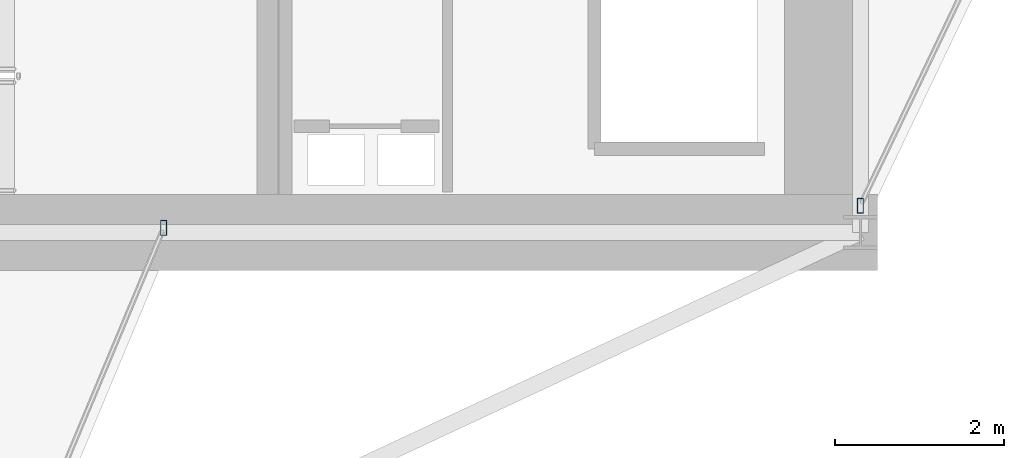
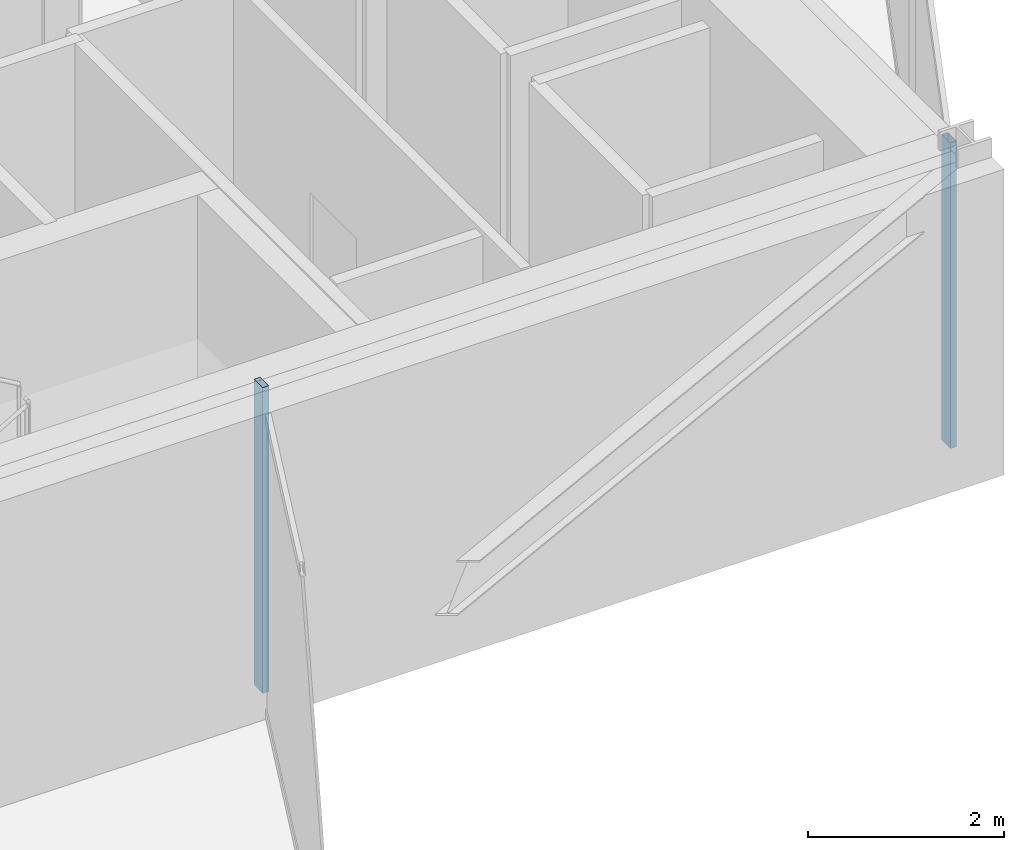
# One storey, part 12 of 25: 2 members, 2 elements without a shape of their own.
"""IFC4 building model written with IfcOpenShell, lengths in metres."""

from ifc_helpers import new_model, si_unit, direction, frame, origin, origin_2d, place, context, subcontext, project, spatial, hollow_rectangle, extrude, material, layer, layer_set, material_profile, profile_set, type_object, element, aggregate, save


model = new_model("IFC4")

# Units and contexts
model_context = context("Model", 3, precision=1e-05, world=origin(), true_north=direction((0.0, 1.0)))
body_context = subcontext(model_context, "Body", "Model", "MODEL_VIEW")
ifc_project = project(units=[si_unit("LENGTHUNIT", "METRE"), si_unit("AREAUNIT", "SQUARE_METRE"), si_unit("VOLUMEUNIT", "CUBIC_METRE"), si_unit("PLANEANGLEUNIT", "RADIAN"), si_unit("MASSUNIT", "GRAM", prefix="KILO")], contexts=[model_context])

# Site, building, storey
site_placement = place(None, origin())
site = spatial("IfcSite", under=ifc_project, at=site_placement, CompositionType="ELEMENT")
building_placement = place(site_placement, origin())
building = spatial("IfcBuilding", under=site, at=building_placement, Name="Veymaron Broadcast Tower", CompositionType="ELEMENT")
storey_placement = place(building_placement, frame((0.0, 0.0, 82.35009765625)))
storey = spatial("IfcBuildingStorey", under=building, at=storey_placement, Name="L18", CompositionType="ELEMENT", Elevation=82.35009765625)

# Curtain wall, member
ifc_material_1 = material(Name="Anodised aluminium AA 6063-T6 and laminated low-E dark glass", Category="aluminium")
ifc_layer = layer(ifc_material_1, 0.179931640625)
ifc_layer_set = layer_set([ifc_layer], Name="Anodised aluminium AA 6063-T6 and laminated low-E dark glass")
curtain_wall_type = type_object("IfcCurtainWallType", Name="CW-SYS-02", PredefinedType="NOTDEFINED", material=ifc_layer_set)
curtain_wall_1_placement = place(storey_placement, origin())
curtain_wall_1 = element("IfcCurtainWall", 1, at=curtain_wall_1_placement, inside=storey, type_object=curtain_wall_type, Name="L18 dark-glass curtain wall CW-L18-E2-1", PredefinedType="NOTDEFINED")
ifc_material_2 = material(Name="Anodised aluminium AA 6063-T6", Category="aluminium")
ifc_material_profile = material_profile(ifc_material_2, hollow_rectangle(XDim=0.074951171875, YDim=0.179931640625, WallThickness=0.0048828125, at=origin_2d()), Name="AL180X75X5")
ifc_profile_set = profile_set([ifc_material_profile], Name="Anodised aluminium AA 6063-T6")
member_type = type_object("IfcMemberType", Name="CW-MUL-02", PredefinedType="MULLION", material=ifc_profile_set)
member_1_placement = place(storey_placement, frame((54.59619140625, 16.31689453125, 0.0), z_axis=(0.0, 0.0, 1.0), x_axis=(1.0, 0.0, 0.0)))
member_1 = element("IfcMember", 2, at=member_1_placement, type_object=member_type, Name="CW-L18-E2-1 mullion 0", PredefinedType="MULLION", context=body_context, shape_type="SweptSolid", body=[
    extrude(hollow_rectangle(XDim=0.074951171875, YDim=0.179931640625, WallThickness=0.0048828125, at=origin_2d()), origin(), (0.0, 0.0, 1.0), 3.809814453125),
])
aggregate(curtain_wall_1, [member_1])

curtain_wall_2_placement = place(storey_placement, origin())
curtain_wall_2 = element("IfcCurtainWall", 3, at=curtain_wall_2_placement, inside=storey, type_object=curtain_wall_type, Name="L18 dark-glass curtain wall CW-L18-E20-1", PredefinedType="NOTDEFINED")
member_2_placement = place(storey_placement, frame((46.336669921875, 16.053955078125, 0.0), z_axis=(0.0, 0.0, 1.0), x_axis=(1.0, 0.0, 0.0)))
member_2 = element("IfcMember", 4, at=member_2_placement, type_object=member_type, Name="CW-L18-E20-1 mullion 2", PredefinedType="MULLION", context=body_context, shape_type="SweptSolid", body=[
    extrude(hollow_rectangle(XDim=0.074951171875, YDim=0.179931640625, WallThickness=0.0048828125, at=origin_2d()), origin(), (0.0, 0.0, 1.0), 3.809814453125),
])
aggregate(curtain_wall_2, [member_2])

save(model, "model.ifc")
